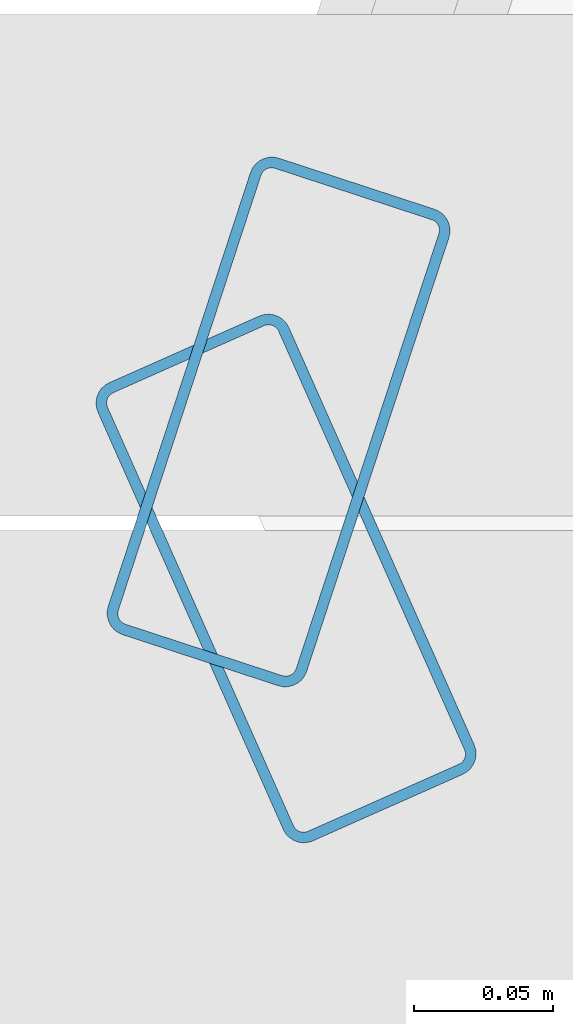
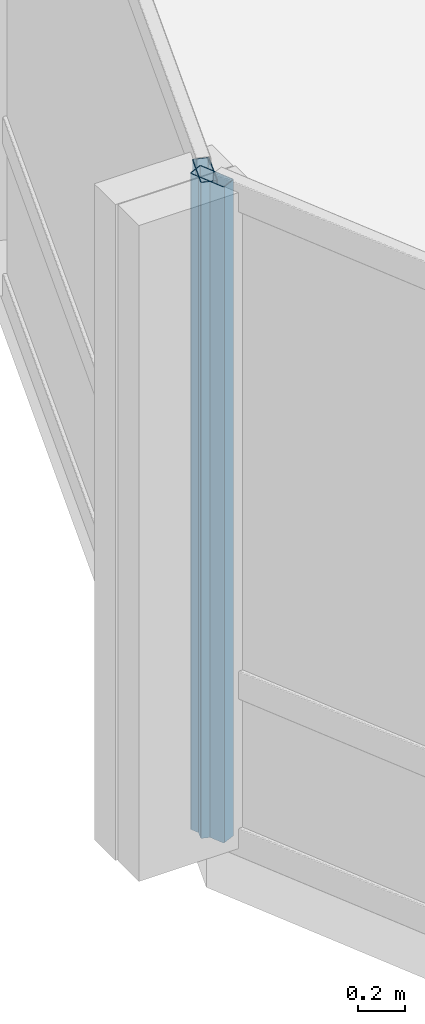
# One storey, part 6 of 34: 2 members, 2 elements without a shape of their own.
"""IFC4 building model written with IfcOpenShell, lengths in metres."""

from ifc_helpers import new_model, si_unit, direction, frame, origin, origin_2d, place, context, subcontext, project, spatial, hollow_rectangle, extrude, material, layer, layer_set, material_profile, profile_set, type_object, element, aggregate, save


model = new_model("IFC4")

# Units and contexts
model_context = context("Model", 3, precision=1e-05, world=origin(), true_north=direction((0.0, 1.0)))
body_context = subcontext(model_context, "Body", "Model", "MODEL_VIEW")
ifc_project = project(units=[si_unit("LENGTHUNIT", "METRE"), si_unit("AREAUNIT", "SQUARE_METRE"), si_unit("VOLUMEUNIT", "CUBIC_METRE"), si_unit("PLANEANGLEUNIT", "RADIAN"), si_unit("MASSUNIT", "GRAM", prefix="KILO")], contexts=[model_context])

# Site, building, storey
site_placement = place(None, origin())
site = spatial("IfcSite", under=ifc_project, at=site_placement, CompositionType="ELEMENT")
building_placement = place(site_placement, origin())
building = spatial("IfcBuilding", under=site, at=building_placement, Name="Solvaryn Broadcast Tower", CompositionType="ELEMENT")
storey_placement = place(building_placement, frame((0.0, 0.0, 36.0)))
storey = spatial("IfcBuildingStorey", under=building, at=storey_placement, Name="L07", CompositionType="ELEMENT", Elevation=36.0)

# Curtain wall, member
ifc_material_1 = material(Name="Aluminium and Terracotta Unitised Curtain Wall", Category="masonry")
ifc_layer_1 = layer(ifc_material_1, 0.199951171875)
ifc_layer_set_1 = layer_set([ifc_layer_1], Name="CW-SYS2-LOWMID")
curtain_wall_type_1 = type_object("IfcCurtainWallType", Name="CW-SYS2-LOWMID", PredefinedType="NOTDEFINED", material=ifc_layer_set_1)
curtain_wall_1_placement = place(storey_placement, origin())
curtain_wall_1 = element("IfcCurtainWall", 1, at=curtain_wall_1_placement, inside=storey, type_object=curtain_wall_type_1, Name="L07 Curtain Wall DR1", PredefinedType="NOTDEFINED")
ifc_material_2 = material(Name="Anodised Aluminium 6063-T6", Category="aluminium")
ifc_material_profile = material_profile(ifc_material_2, hollow_rectangle(XDim=0.074951171875, YDim=0.179931640625, WallThickness=0.00390625, InnerFilletRadius=0.00390625, OuterFilletRadius=0.008056640625, at=origin_2d()))
ifc_profile_set = profile_set([ifc_material_profile], Name="Anodised Aluminium 6063-T6")
member_type = type_object("IfcMemberType", Name="CW-MUL-180", PredefinedType="MULLION", material=ifc_profile_set)
member_1_placement = place(storey_placement, frame((-0.45458984375, 26.588623046875, 0.0), z_axis=(0.0, 0.0, 1.0), x_axis=(0.950215318429, -0.311594044587, 0.0)))
member_1 = element("IfcMember", 2, at=member_1_placement, type_object=member_type, Name="CWS2 mullion 2", PredefinedType="MULLION", context=body_context, shape_type="SweptSolid", body=[
    extrude(hollow_rectangle(XDim=0.074951171875, YDim=0.179931640625, WallThickness=0.00390625, InnerFilletRadius=0.00390625, OuterFilletRadius=0.008056640625, at=origin_2d()), origin(), (0.0, 0.0, 1.0), 3.419921875),
])
aggregate(curtain_wall_1, [member_1])

ifc_material_3 = material(Name="Aluminium and Terracotta Unitised Curtain Wall", Category="masonry")
ifc_layer_2 = layer(ifc_material_3, 0.239990234375)
ifc_layer_set_2 = layer_set([ifc_layer_2], Name="CW-SYS3-BAYBOX")
curtain_wall_type_2 = type_object("IfcCurtainWallType", Name="CW-SYS3-BAYBOX", PredefinedType="NOTDEFINED", material=ifc_layer_set_2)
curtain_wall_2_placement = place(storey_placement, origin())
curtain_wall_2 = element("IfcCurtainWall", 3, at=curtain_wall_2_placement, inside=storey, type_object=curtain_wall_type_2, Name="L07 Curtain Wall DR2", PredefinedType="NOTDEFINED")
member_2_placement = place(storey_placement, frame((-0.451904296875, 26.532470703125, 0.0), z_axis=(0.0, 0.0, 1.0), x_axis=(0.913918257271, 0.405898286554, 0.0)))
member_2 = element("IfcMember", 4, at=member_2_placement, type_object=member_type, Name="CWS3 mullion 1", PredefinedType="MULLION", context=body_context, shape_type="SweptSolid", body=[
    extrude(hollow_rectangle(XDim=0.074951171875, YDim=0.179931640625, WallThickness=0.00390625, InnerFilletRadius=0.00390625, OuterFilletRadius=0.008056640625, at=origin_2d()), origin(), (0.0, 0.0, 1.0), 3.419921875),
])
aggregate(curtain_wall_2, [member_2])

save(model, "model.ifc")
